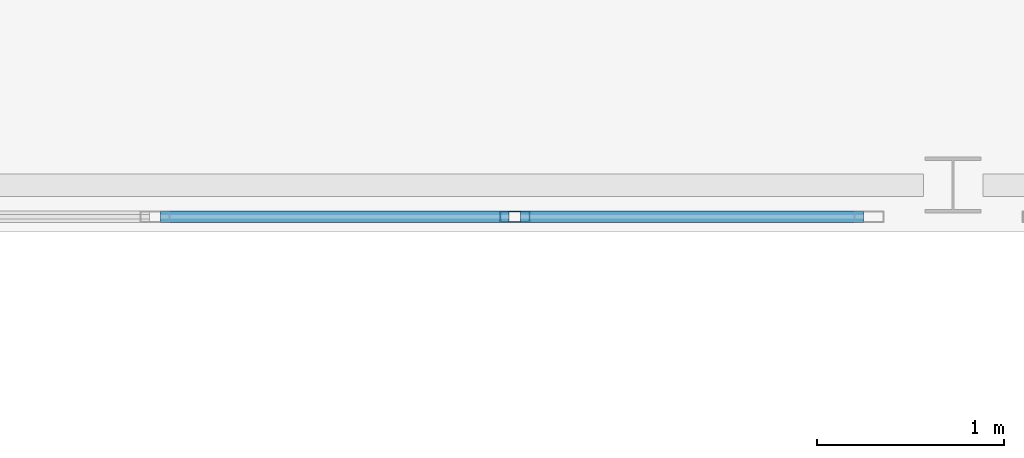
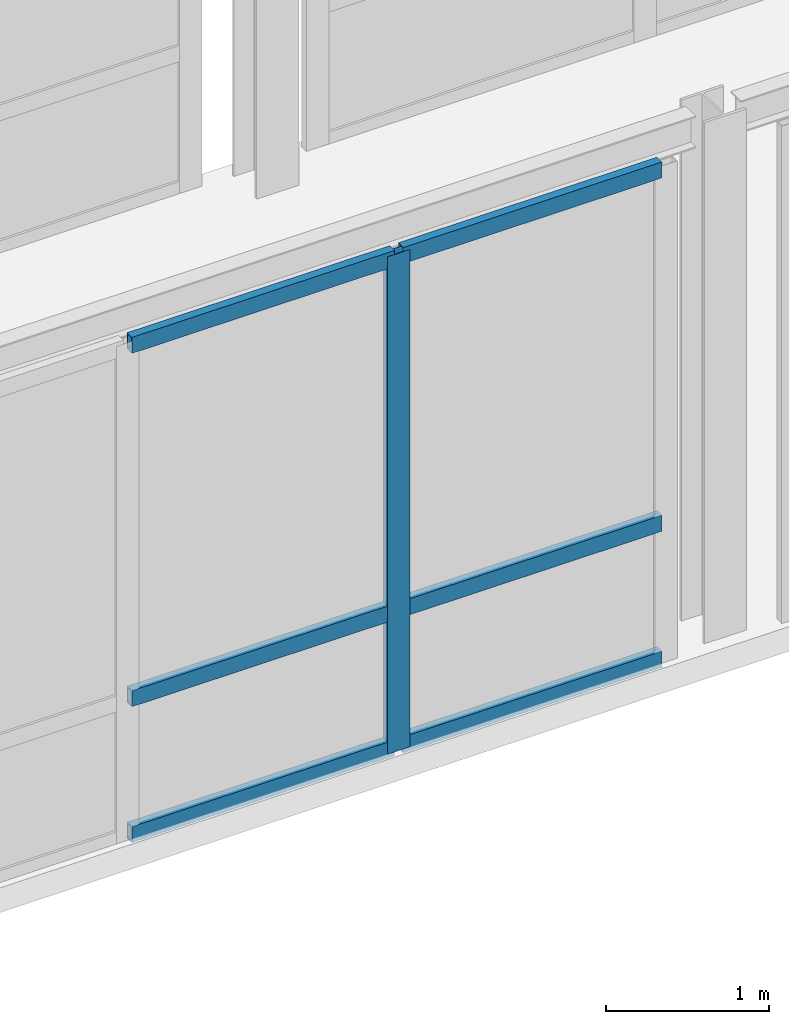
# One storey, part 53 of 165: 7 members, 1 element without a shape of its own.
"""IFC4 building model written with IfcOpenShell, lengths in metres."""

import ifcopenshell
import ifcopenshell.guid

model = None  # the IFC model being written
_history = None  # IfcOwnerHistory: only IFC2X3 demands one
_inside = {}  # id of a spatial element -> (the spatial element, [elements in it])
_under = {}  # id of a project, library or spatial element -> (it, [spatial elements below it])
_declared = {}  # id of a project -> (the project, [libraries it declares])
_typed = {}  # id of a type object -> (the type object, [elements of that type])
_made_of = {}  # id of a material, layer set ... -> (it, [elements and type objects made of it])


def new_model(schema):
    """Start an empty IFC model of exactly this schema.

    Asked for "IFC4X3", IfcOpenShell would pick the latest addendum, in which some entities
    have other attributes; the version numbers below select the first issue.
    IFC2X3 requires an IfcOwnerHistory on every rooted entity: one is made here for all.
    """
    global model, _history
    if schema == "IFC4X3":
        model = ifcopenshell.file(schema_version=(4, 3, 0, 0))
    else:
        model = ifcopenshell.file(schema=schema)
    _inside.clear()
    _under.clear()
    _declared.clear()
    _typed.clear()
    _made_of.clear()
    _history = None
    if model.schema == "IFC2X3":
        org = make("IfcOrganization", Name="unknown")
        user = make(
            "IfcPersonAndOrganization",
            ThePerson=make("IfcPerson", FamilyName="unknown"),
            TheOrganization=org,
        )
        app = make(
            "IfcApplication",
            ApplicationDeveloper=org,
            Version="unknown",
            ApplicationFullName="unknown",
            ApplicationIdentifier="unknown",
        )
        _history = make(
            "IfcOwnerHistory",
            OwningUser=user,
            OwningApplication=app,
            ChangeAction="ADDED",
            CreationDate=0,
        )
    return model


def make(cls, **values):
    """One entity of the class cls with the attributes given. An attribute that is None is left unset."""
    return model.create_entity(
        cls, **{name: value for name, value in values.items() if value is not None}
    )


def rooted(cls, **values):
    """An entity with a GlobalId (a new one), such as an element, a storey or a relation."""
    return make(cls, GlobalId=ifcopenshell.guid.new(), OwnerHistory=_history, **values)


def si_unit(unit_type, name, prefix=None):
    """IfcSIUnit, for example si_unit("LENGTHUNIT", "METRE", prefix="MILLI")."""
    return make("IfcSIUnit", UnitType=unit_type, Prefix=prefix, Name=name)


def assignment(units):
    """IfcUnitAssignment: the units of a project."""
    return None if units is None else make("IfcUnitAssignment", Units=units)


def point(xyz):
    """IfcCartesianPoint."""
    return None if xyz is None else make("IfcCartesianPoint", Coordinates=xyz)


def direction(xyz):
    """IfcDirection."""
    return None if xyz is None else make("IfcDirection", DirectionRatios=xyz)


def frame(location, z_axis=None, x_axis=None):
    """IfcAxis2Placement3D, a coordinate frame: its origin and axes. An axis left out is left unset."""
    return make(
        "IfcAxis2Placement3D",
        Location=point(location),
        Axis=direction(z_axis),
        RefDirection=direction(x_axis),
    )


def frame_2d(location, x_axis=None):
    """IfcAxis2Placement2D, a coordinate frame in the plane: its origin and x axis."""
    return make(
        "IfcAxis2Placement2D", Location=point(location), RefDirection=direction(x_axis)
    )


def origin():
    """The frame at (0, 0, 0) with its axes left unset."""
    return frame((0.0, 0.0, 0.0))


def origin_2d():
    """The frame at (0, 0) in the plane with its x axis left unset."""
    return frame_2d((0.0, 0.0))


def place(relative_to, where):
    """IfcLocalPlacement: puts the frame where relative to a parent placement (None: the world)."""
    return make(
        "IfcLocalPlacement", PlacementRelTo=relative_to, RelativePlacement=where
    )


def context(
    kind, dimensions, precision=None, world=None, true_north=None, identifier=None
):
    """IfcGeometricRepresentationContext, for example the 3D "Model" context."""
    return make(
        "IfcGeometricRepresentationContext",
        ContextIdentifier=identifier,
        ContextType=kind,
        CoordinateSpaceDimension=dimensions,
        Precision=precision,
        WorldCoordinateSystem=world,
        TrueNorth=true_north,
    )


def subcontext(parent, identifier, kind, view, scale=None):
    """IfcGeometricRepresentationSubContext, for example "Body" below "Model"."""
    return make(
        "IfcGeometricRepresentationSubContext",
        ContextIdentifier=identifier,
        ContextType=kind,
        ParentContext=parent,
        TargetScale=scale,
        TargetView=view,
    )


def project(units=None, contexts=None):
    """IfcProject with its units and contexts."""
    return rooted(
        "IfcProject",
        Name="project",
        RepresentationContexts=contexts,
        UnitsInContext=assignment(units),
    )


def spatial(cls, under=None, at=None, **own):
    """A site, building, storey or space (cls), placed at a placement, below another one or the project."""
    s = rooted(cls, ObjectPlacement=at, **own)
    if under is not None:
        _under.setdefault(under.id(), (under, []))[1].append(s)
    return s


def profile(cls, at=None, kind="AREA", **sizes):
    """A parametric profile (cls). Its sizes go by their IFC names, for example OverallWidth=200.0."""
    return make(cls, ProfileType=kind, Position=at, **sizes)


def hollow_rectangle(**sizes):
    """IfcRectangleHollowProfileDef."""
    return profile("IfcRectangleHollowProfileDef", **sizes)


def extrude(swept, where, along, depth):
    """IfcExtrudedAreaSolid: the profile swept, set in the frame where, extruded along a direction by depth."""
    return make(
        "IfcExtrudedAreaSolid",
        SweptArea=swept,
        Position=where,
        ExtrudedDirection=direction(along),
        Depth=depth,
    )


def shape(context_of_items, identifier, shape_type, items):
    """IfcShapeRepresentation: the items that make up one representation, for example the "Body"."""
    return make(
        "IfcShapeRepresentation",
        ContextOfItems=context_of_items,
        RepresentationIdentifier=identifier,
        RepresentationType=shape_type,
        Items=items,
    )


def material(Name=None, Category=None):
    """IfcMaterial."""
    return make("IfcMaterial", Name=Name, Category=Category)


def layer(
    of_material, thickness, ventilated=None, Name=None, Category=None, Priority=None
):
    """IfcMaterialLayer: one layer of a wall or slab, of a material (None: an air gap)."""
    return make(
        "IfcMaterialLayer",
        Material=of_material,
        LayerThickness=thickness,
        IsVentilated=ventilated,
        Name=Name,
        Category=Category,
        Priority=Priority,
    )


def layer_set(layers, Name=None):
    """IfcMaterialLayerSet."""
    return make("IfcMaterialLayerSet", MaterialLayers=layers, LayerSetName=Name)


def material_profile(
    of_material, cross_section, Name=None, Category=None, Priority=None
):
    """IfcMaterialProfile: a cross section and its material."""
    return make(
        "IfcMaterialProfile",
        Name=Name,
        Material=of_material,
        Profile=cross_section,
        Priority=Priority,
        Category=Category,
    )


def profile_set(profiles, Name=None, composite=None):
    """IfcMaterialProfileSet."""
    return make(
        "IfcMaterialProfileSet",
        Name=Name,
        MaterialProfiles=profiles,
        CompositeProfile=composite,
    )


def made_of(thing, what):
    """Note that an element or type object is made of a material, layer set ...; save() writes the relation."""
    if what is not None:
        _made_of.setdefault(what.id(), (what, []))[1].append(thing)
    return thing


def type_object(cls, material=None, **own):
    """A type object (cls), such as IfcWallType, which elements share."""
    return made_of(rooted(cls, **own), material)


def element(
    cls,
    number,
    at=None,
    inside=None,
    cuts=None,
    type_object=None,
    material=None,
    context=None,
    identifier="Body",
    shape_type=None,
    held_by="IfcProductDefinitionShape",
    body=None,
    shapes=None,
    **own,
):
    """One element of the class cls, such as IfcWall. Its Tag is "e" and its number.

    at: its placement. inside: the storey or other place that contains it. cuts: it is an
    opening in that element (IfcRelVoidsElement). A single representation is given by context,
    identifier, shape_type and body (its items); several are given by shapes. held_by: the class
    of the entity that holds the representations. save() writes the other relations.
    """
    e = rooted(cls, Tag="e%d" % number, ObjectPlacement=at, **own)
    if body is not None:
        shapes = [shape(context, identifier, shape_type, body)]
    if shapes is not None:
        e.Representation = make(held_by, Representations=shapes)
    if inside is not None:
        _inside.setdefault(inside.id(), (inside, []))[1].append(e)
    if cuts is not None:
        rooted(
            "IfcRelVoidsElement", RelatingBuildingElement=cuts, RelatedOpeningElement=e
        )
    if type_object is not None:
        _typed.setdefault(type_object.id(), (type_object, []))[1].append(e)
    return made_of(e, material)


def aggregate(whole, parts):
    """IfcRelAggregates: a whole, such as a stair, and the parts it consists of."""
    return rooted("IfcRelAggregates", RelatingObject=whole, RelatedObjects=parts)


def save(model, path):
    """Write the relations noted so far, then the file.

    IfcRelAggregates (storeys below a building ...), IfcRelContainedInSpatialStructure (elements
    in a storey), IfcRelDefinesByType, IfcRelAssociatesMaterial and IfcRelDeclares: one each for
    every whole, place, type object, material and project.
    """
    for whole, parts in _under.values():
        aggregate(whole, parts)
    for where, things in _inside.values():
        rooted(
            "IfcRelContainedInSpatialStructure",
            RelatedElements=things,
            RelatingStructure=where,
        )
    for kind, things in _typed.values():
        rooted("IfcRelDefinesByType", RelatedObjects=things, RelatingType=kind)
    for what, things in _made_of.values():
        rooted("IfcRelAssociatesMaterial", RelatedObjects=things, RelatingMaterial=what)
    for by, libraries in _declared.values():
        rooted("IfcRelDeclares", RelatingContext=by, RelatedDefinitions=libraries)
    model.write(path)


model = new_model("IFC4")

# Units and contexts
model_context = context("Model", 3, precision=1e-05, world=origin(), true_north=direction((0.0, 1.0)))
body_context = subcontext(model_context, "Body", "Model", "MODEL_VIEW")
ifc_project = project(units=[si_unit("LENGTHUNIT", "METRE"), si_unit("AREAUNIT", "SQUARE_METRE"), si_unit("VOLUMEUNIT", "CUBIC_METRE"), si_unit("PLANEANGLEUNIT", "RADIAN"), si_unit("MASSUNIT", "GRAM", prefix="KILO")], contexts=[model_context])

# Site, building, storey
site_placement = place(None, origin())
site = spatial("IfcSite", under=ifc_project, at=site_placement, CompositionType="ELEMENT")
building_placement = place(site_placement, origin())
building = spatial("IfcBuilding", under=site, at=building_placement, Name="Montecoro Central Library", CompositionType="ELEMENT")
storey_placement = place(building_placement, frame((0.0, 0.0, 5.10009765625)))
storey = spatial("IfcBuildingStorey", under=building, at=storey_placement, Name="L01", CompositionType="ELEMENT", Elevation=5.10009765625)

# Curtain wall, members
ifc_material_1 = material(Name="Bronze-anodised aluminium and low-E glazing", Category="aluminium")
ifc_layer = layer(ifc_material_1, 0.159912109375)
ifc_layer_set = layer_set([ifc_layer], Name="Bronze-anodised aluminium and low-E glazing")
curtain_wall_type = type_object("IfcCurtainWallType", Name="CWT-087", PredefinedType="NOTDEFINED", material=ifc_layer_set)
curtain_wall_placement = place(storey_placement, origin())
curtain_wall = element("IfcCurtainWall", 1, at=curtain_wall_placement, inside=storey, type_object=curtain_wall_type, Name="BR-SE-L01-CW-S1", PredefinedType="NOTDEFINED")
ifc_material_2 = material(Name="Bronze-anodised aluminium", Category="aluminium")
ifc_material_profile_1 = material_profile(ifc_material_2, hollow_rectangle(XDim=0.06005859375, YDim=0.159912109375, WallThickness=0.00390625, at=origin_2d()), Name="CWM 160x60x4.0")
ifc_profile_set_1 = profile_set([ifc_material_profile_1], Name="Bronze-anodised aluminium")
member_type_1 = type_object("IfcMemberType", Name="CWM-BRZ-60", PredefinedType="MULLION", material=ifc_profile_set_1)
member_1_placement = place(storey_placement, frame((122.85498046875, 32.47998046875, 0.0), z_axis=(0.0, 0.0, 1.0), x_axis=(0.0, 1.0, 0.0)))
member_1 = element("IfcMember", 2, at=member_1_placement, type_object=member_type_1, Name="CW-087 mullion 4", PredefinedType="MULLION", context=body_context, shape_type="SweptSolid", body=[
    extrude(hollow_rectangle(XDim=0.06005859375, YDim=0.159912109375, WallThickness=0.00390625, at=origin_2d()), origin(), (0.0, 0.0, 1.0), 3.72998046875),
])
ifc_material_profile_2 = material_profile(ifc_material_2, hollow_rectangle(XDim=0.06005859375, YDim=0.1201171875, WallThickness=0.00390625, at=origin_2d()), Name="CWT 120x60x4.0")
ifc_profile_set_2 = profile_set([ifc_material_profile_2], Name="Bronze-anodised aluminium")
member_type_2 = type_object("IfcMemberType", Name="CWT-BRZ-60", PredefinedType="USERDEFINED", material=ifc_profile_set_2)
member_2_placement = place(storey_placement, frame((120.9599609375, 32.47998046875, 0.02978515625), z_axis=(1.0, 0.0, 0.0), x_axis=(0.0, 1.0, 0.0)))
member_2 = element("IfcMember", 3, at=member_2_placement, type_object=member_type_2, Name="CW-087 transom 3.1", ObjectType="TRANSOM", PredefinedType="USERDEFINED", context=body_context, shape_type="SweptSolid", body=[
    extrude(hollow_rectangle(XDim=0.06005859375, YDim=0.1201171875, WallThickness=0.00390625, at=origin_2d()), origin(), (0.0, 0.0, 1.0), 1.864990234375),
])
member_3_placement = place(storey_placement, frame((120.9599609375, 32.47998046875, 1.0498046875), z_axis=(1.0, 0.0, 0.0), x_axis=(0.0, 1.0, 0.0)))
member_3 = element("IfcMember", 4, at=member_3_placement, type_object=member_type_2, Name="CW-087 transom 3.2", ObjectType="TRANSOM", PredefinedType="USERDEFINED", context=body_context, shape_type="SweptSolid", body=[
    extrude(hollow_rectangle(XDim=0.06005859375, YDim=0.1201171875, WallThickness=0.00390625, at=origin_2d()), origin(), (0.0, 0.0, 1.0), 1.864990234375),
])
member_4_placement = place(storey_placement, frame((120.9599609375, 32.47998046875, 3.699951171875), z_axis=(1.0, 0.0, 0.0), x_axis=(0.0, 1.0, 0.0)))
member_4 = element("IfcMember", 5, at=member_4_placement, type_object=member_type_2, Name="CW-087 transom 3.3", ObjectType="TRANSOM", PredefinedType="USERDEFINED", context=body_context, shape_type="SweptSolid", body=[
    extrude(hollow_rectangle(XDim=0.06005859375, YDim=0.1201171875, WallThickness=0.00390625, at=origin_2d()), origin(), (0.0, 0.0, 1.0), 1.864990234375),
])
member_5_placement = place(storey_placement, frame((122.885009765625, 32.47998046875, 0.02978515625), z_axis=(1.0, 0.0, 0.0), x_axis=(0.0, 1.0, 0.0)))
member_5 = element("IfcMember", 6, at=member_5_placement, type_object=member_type_2, Name="CW-087 transom 4.1", ObjectType="TRANSOM", PredefinedType="USERDEFINED", context=body_context, shape_type="SweptSolid", body=[
    extrude(hollow_rectangle(XDim=0.06005859375, YDim=0.1201171875, WallThickness=0.00390625, at=origin_2d()), origin(), (0.0, 0.0, 1.0), 1.8349609375),
])
member_6_placement = place(storey_placement, frame((122.885009765625, 32.47998046875, 1.0498046875), z_axis=(1.0, 0.0, 0.0), x_axis=(0.0, 1.0, 0.0)))
member_6 = element("IfcMember", 7, at=member_6_placement, type_object=member_type_2, Name="CW-087 transom 4.2", ObjectType="TRANSOM", PredefinedType="USERDEFINED", context=body_context, shape_type="SweptSolid", body=[
    extrude(hollow_rectangle(XDim=0.06005859375, YDim=0.1201171875, WallThickness=0.00390625, at=origin_2d()), origin(), (0.0, 0.0, 1.0), 1.8349609375),
])
member_7_placement = place(storey_placement, frame((122.885009765625, 32.47998046875, 3.699951171875), z_axis=(1.0, 0.0, 0.0), x_axis=(0.0, 1.0, 0.0)))
member_7 = element("IfcMember", 8, at=member_7_placement, type_object=member_type_2, Name="CW-087 transom 4.3", ObjectType="TRANSOM", PredefinedType="USERDEFINED", context=body_context, shape_type="SweptSolid", body=[
    extrude(hollow_rectangle(XDim=0.06005859375, YDim=0.1201171875, WallThickness=0.00390625, at=origin_2d()), origin(), (0.0, 0.0, 1.0), 1.8349609375),
])
aggregate(curtain_wall, [member_1, member_2, member_3, member_4, member_5, member_6, member_7])

save(model, "model.ifc")
